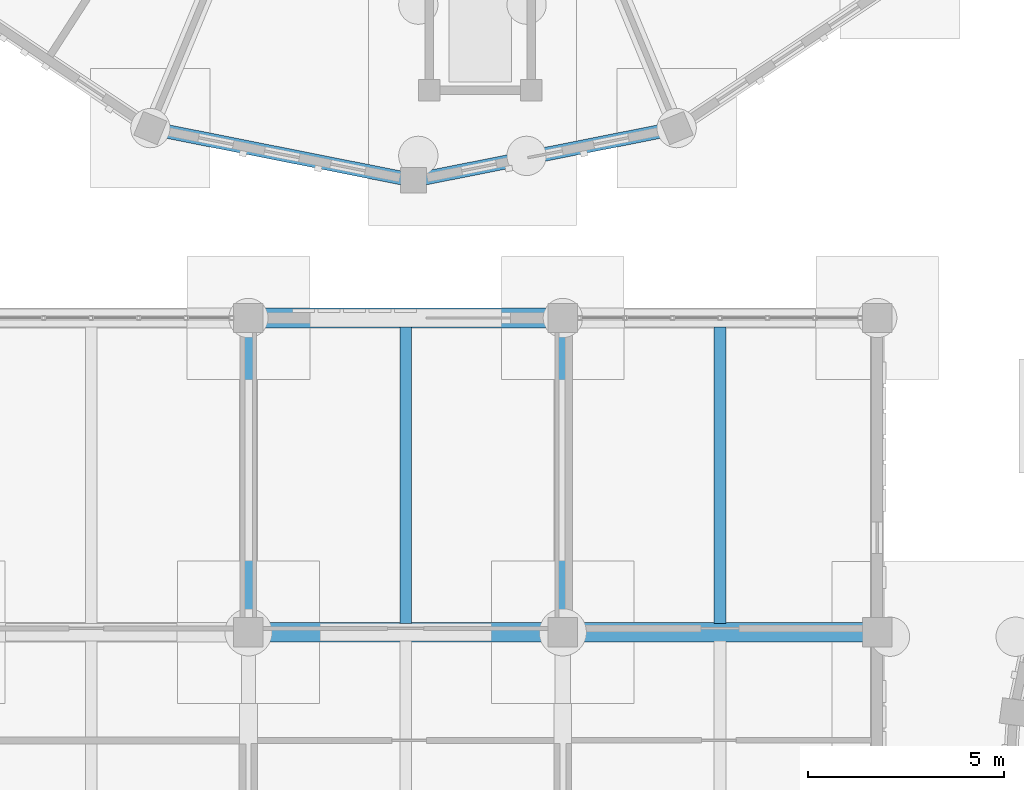
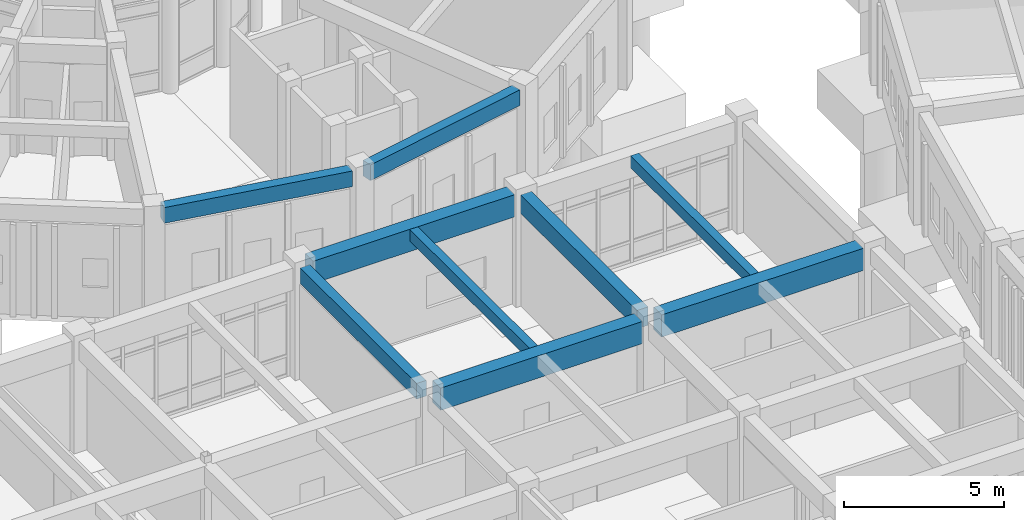
# One storey, part 57 of 153: 9 beams.
"""IFC4 building model written with IfcOpenShell, lengths in metres."""

import ifcopenshell
import ifcopenshell.guid

model = None  # the IFC model being written
_history = None  # IfcOwnerHistory: only IFC2X3 demands one
_inside = {}  # id of a spatial element -> (the spatial element, [elements in it])
_under = {}  # id of a project, library or spatial element -> (it, [spatial elements below it])
_declared = {}  # id of a project -> (the project, [libraries it declares])
_typed = {}  # id of a type object -> (the type object, [elements of that type])
_made_of = {}  # id of a material, layer set ... -> (it, [elements and type objects made of it])


def new_model(schema):
    """Start an empty IFC model of exactly this schema.

    Asked for "IFC4X3", IfcOpenShell would pick the latest addendum, in which some entities
    have other attributes; the version numbers below select the first issue.
    IFC2X3 requires an IfcOwnerHistory on every rooted entity: one is made here for all.
    """
    global model, _history
    if schema == "IFC4X3":
        model = ifcopenshell.file(schema_version=(4, 3, 0, 0))
    else:
        model = ifcopenshell.file(schema=schema)
    _inside.clear()
    _under.clear()
    _declared.clear()
    _typed.clear()
    _made_of.clear()
    _history = None
    if model.schema == "IFC2X3":
        org = make("IfcOrganization", Name="unknown")
        user = make(
            "IfcPersonAndOrganization",
            ThePerson=make("IfcPerson", FamilyName="unknown"),
            TheOrganization=org,
        )
        app = make(
            "IfcApplication",
            ApplicationDeveloper=org,
            Version="unknown",
            ApplicationFullName="unknown",
            ApplicationIdentifier="unknown",
        )
        _history = make(
            "IfcOwnerHistory",
            OwningUser=user,
            OwningApplication=app,
            ChangeAction="ADDED",
            CreationDate=0,
        )
    return model


def make(cls, **values):
    """One entity of the class cls with the attributes given. An attribute that is None is left unset."""
    return model.create_entity(
        cls, **{name: value for name, value in values.items() if value is not None}
    )


def rooted(cls, **values):
    """An entity with a GlobalId (a new one), such as an element, a storey or a relation."""
    return make(cls, GlobalId=ifcopenshell.guid.new(), OwnerHistory=_history, **values)


def si_unit(unit_type, name, prefix=None):
    """IfcSIUnit, for example si_unit("LENGTHUNIT", "METRE", prefix="MILLI")."""
    return make("IfcSIUnit", UnitType=unit_type, Prefix=prefix, Name=name)


def assignment(units):
    """IfcUnitAssignment: the units of a project."""
    return None if units is None else make("IfcUnitAssignment", Units=units)


def point(xyz):
    """IfcCartesianPoint."""
    return None if xyz is None else make("IfcCartesianPoint", Coordinates=xyz)


def direction(xyz):
    """IfcDirection."""
    return None if xyz is None else make("IfcDirection", DirectionRatios=xyz)


def frame(location, z_axis=None, x_axis=None):
    """IfcAxis2Placement3D, a coordinate frame: its origin and axes. An axis left out is left unset."""
    return make(
        "IfcAxis2Placement3D",
        Location=point(location),
        Axis=direction(z_axis),
        RefDirection=direction(x_axis),
    )


def frame_2d(location, x_axis=None):
    """IfcAxis2Placement2D, a coordinate frame in the plane: its origin and x axis."""
    return make(
        "IfcAxis2Placement2D", Location=point(location), RefDirection=direction(x_axis)
    )


def origin():
    """The frame at (0, 0, 0) with its axes left unset."""
    return frame((0.0, 0.0, 0.0))


def origin_2d():
    """The frame at (0, 0) in the plane with its x axis left unset."""
    return frame_2d((0.0, 0.0))


def place(relative_to, where):
    """IfcLocalPlacement: puts the frame where relative to a parent placement (None: the world)."""
    return make(
        "IfcLocalPlacement", PlacementRelTo=relative_to, RelativePlacement=where
    )


def context(
    kind, dimensions, precision=None, world=None, true_north=None, identifier=None
):
    """IfcGeometricRepresentationContext, for example the 3D "Model" context."""
    return make(
        "IfcGeometricRepresentationContext",
        ContextIdentifier=identifier,
        ContextType=kind,
        CoordinateSpaceDimension=dimensions,
        Precision=precision,
        WorldCoordinateSystem=world,
        TrueNorth=true_north,
    )


def subcontext(parent, identifier, kind, view, scale=None):
    """IfcGeometricRepresentationSubContext, for example "Body" below "Model"."""
    return make(
        "IfcGeometricRepresentationSubContext",
        ContextIdentifier=identifier,
        ContextType=kind,
        ParentContext=parent,
        TargetScale=scale,
        TargetView=view,
    )


def project(units=None, contexts=None):
    """IfcProject with its units and contexts."""
    return rooted(
        "IfcProject",
        Name="project",
        RepresentationContexts=contexts,
        UnitsInContext=assignment(units),
    )


def spatial(cls, under=None, at=None, **own):
    """A site, building, storey or space (cls), placed at a placement, below another one or the project."""
    s = rooted(cls, ObjectPlacement=at, **own)
    if under is not None:
        _under.setdefault(under.id(), (under, []))[1].append(s)
    return s


def profile(cls, at=None, kind="AREA", **sizes):
    """A parametric profile (cls). Its sizes go by their IFC names, for example OverallWidth=200.0."""
    return make(cls, ProfileType=kind, Position=at, **sizes)


def rectangle(**sizes):
    """IfcRectangleProfileDef."""
    return profile("IfcRectangleProfileDef", **sizes)


def extrude(swept, where, along, depth):
    """IfcExtrudedAreaSolid: the profile swept, set in the frame where, extruded along a direction by depth."""
    return make(
        "IfcExtrudedAreaSolid",
        SweptArea=swept,
        Position=where,
        ExtrudedDirection=direction(along),
        Depth=depth,
    )


def shape(context_of_items, identifier, shape_type, items):
    """IfcShapeRepresentation: the items that make up one representation, for example the "Body"."""
    return make(
        "IfcShapeRepresentation",
        ContextOfItems=context_of_items,
        RepresentationIdentifier=identifier,
        RepresentationType=shape_type,
        Items=items,
    )


def material(Name=None, Category=None):
    """IfcMaterial."""
    return make("IfcMaterial", Name=Name, Category=Category)


def material_profile(
    of_material, cross_section, Name=None, Category=None, Priority=None
):
    """IfcMaterialProfile: a cross section and its material."""
    return make(
        "IfcMaterialProfile",
        Name=Name,
        Material=of_material,
        Profile=cross_section,
        Priority=Priority,
        Category=Category,
    )


def profile_set(profiles, Name=None, composite=None):
    """IfcMaterialProfileSet."""
    return make(
        "IfcMaterialProfileSet",
        Name=Name,
        MaterialProfiles=profiles,
        CompositeProfile=composite,
    )


def made_of(thing, what):
    """Note that an element or type object is made of a material, layer set ...; save() writes the relation."""
    if what is not None:
        _made_of.setdefault(what.id(), (what, []))[1].append(thing)
    return thing


def type_object(cls, material=None, **own):
    """A type object (cls), such as IfcWallType, which elements share."""
    return made_of(rooted(cls, **own), material)


def element(
    cls,
    number,
    at=None,
    inside=None,
    cuts=None,
    type_object=None,
    material=None,
    context=None,
    identifier="Body",
    shape_type=None,
    held_by="IfcProductDefinitionShape",
    body=None,
    shapes=None,
    **own,
):
    """One element of the class cls, such as IfcWall. Its Tag is "e" and its number.

    at: its placement. inside: the storey or other place that contains it. cuts: it is an
    opening in that element (IfcRelVoidsElement). A single representation is given by context,
    identifier, shape_type and body (its items); several are given by shapes. held_by: the class
    of the entity that holds the representations. save() writes the other relations.
    """
    e = rooted(cls, Tag="e%d" % number, ObjectPlacement=at, **own)
    if body is not None:
        shapes = [shape(context, identifier, shape_type, body)]
    if shapes is not None:
        e.Representation = make(held_by, Representations=shapes)
    if inside is not None:
        _inside.setdefault(inside.id(), (inside, []))[1].append(e)
    if cuts is not None:
        rooted(
            "IfcRelVoidsElement", RelatingBuildingElement=cuts, RelatedOpeningElement=e
        )
    if type_object is not None:
        _typed.setdefault(type_object.id(), (type_object, []))[1].append(e)
    return made_of(e, material)


def aggregate(whole, parts):
    """IfcRelAggregates: a whole, such as a stair, and the parts it consists of."""
    return rooted("IfcRelAggregates", RelatingObject=whole, RelatedObjects=parts)


def save(model, path):
    """Write the relations noted so far, then the file.

    IfcRelAggregates (storeys below a building ...), IfcRelContainedInSpatialStructure (elements
    in a storey), IfcRelDefinesByType, IfcRelAssociatesMaterial and IfcRelDeclares: one each for
    every whole, place, type object, material and project.
    """
    for whole, parts in _under.values():
        aggregate(whole, parts)
    for where, things in _inside.values():
        rooted(
            "IfcRelContainedInSpatialStructure",
            RelatedElements=things,
            RelatingStructure=where,
        )
    for kind, things in _typed.values():
        rooted("IfcRelDefinesByType", RelatedObjects=things, RelatingType=kind)
    for what, things in _made_of.values():
        rooted("IfcRelAssociatesMaterial", RelatedObjects=things, RelatingMaterial=what)
    for by, libraries in _declared.values():
        rooted("IfcRelDeclares", RelatingContext=by, RelatedDefinitions=libraries)
    model.write(path)


model = new_model("IFC4")

# Units and contexts
model_context = context("Model", 3, precision=1e-05, world=origin(), true_north=direction((0.0, 1.0)))
body_context = subcontext(model_context, "Body", "Model", "MODEL_VIEW")
ifc_project = project(units=[si_unit("LENGTHUNIT", "METRE"), si_unit("AREAUNIT", "SQUARE_METRE"), si_unit("VOLUMEUNIT", "CUBIC_METRE"), si_unit("PLANEANGLEUNIT", "RADIAN"), si_unit("MASSUNIT", "GRAM", prefix="KILO")], contexts=[model_context])

# Site, building, storey
site_placement = place(None, origin())
site = spatial("IfcSite", under=ifc_project, at=site_placement, CompositionType="ELEMENT")
building_placement = place(site_placement, origin())
building = spatial("IfcBuilding", under=site, at=building_placement, Name="Celadon Cloister-Ring School", CompositionType="ELEMENT")
storey_placement = place(building_placement, origin())
storey = spatial("IfcBuildingStorey", under=building, at=storey_placement, Name="L00", CompositionType="ELEMENT", Elevation=0.0)

# Beams
ifc_material_1 = material(Name="Concrete C35/45", Category="concrete")
ifc_material_profile_1 = material_profile(ifc_material_1, rectangle(XDim=0.39990234375, YDim=0.699951171875, at=origin_2d()), Name="RC400X700")
ifc_profile_set_1 = profile_set([ifc_material_profile_1], Name="Concrete C35/45")
beam_type_1 = type_object("IfcBeamType", Name="BT-01", PredefinedType="BEAM", material=ifc_profile_set_1)
beam_1_placement = place(storey_placement, frame((24.0, 68.35009765625, 3.889892578125), z_axis=(0.0, 1.0, 0.0), x_axis=(-1.0, 0.0, 0.0)))
element("IfcBeam", 1, at=beam_1_placement, inside=storey, type_object=beam_type_1, Name="Beam 1503", PredefinedType="BEAM", context=body_context, shape_type="SweptSolid", body=[
    extrude(rectangle(XDim=0.39990234375, YDim=0.699951171875, at=origin_2d()), origin(), (0.0, 0.0, 1.0), 7.2998046875),
])
ifc_material_2 = material(Name="Concrete C35/45", Category="concrete")
ifc_material_profile_2 = material_profile(ifc_material_2, rectangle(XDim=0.35009765625, YDim=0.60009765625, at=origin_2d()), Name="RC350X600")
ifc_profile_set_2 = profile_set([ifc_material_profile_2], Name="Concrete C35/45")
beam_type_2 = type_object("IfcBeamType", Name="BT-02", PredefinedType="BEAM", material=ifc_profile_set_2)
beam_2_placement = place(storey_placement, frame((16.0, 68.35009765625, 3.93994140625), z_axis=(0.0, 1.0, 0.0), x_axis=(-1.0, 0.0, 0.0)))
element("IfcBeam", 2, at=beam_2_placement, inside=storey, type_object=beam_type_2, Name="Beam 1498", PredefinedType="BEAM", context=body_context, shape_type="SweptSolid", body=[
    extrude(rectangle(XDim=0.35009765625, YDim=0.60009765625, at=origin_2d()), origin(), (0.0, 0.0, 1.0), 7.2998046875),
])
ifc_material_3 = material(Name="Concrete C35/45", Category="concrete")
ifc_material_profile_3 = material_profile(ifc_material_3, rectangle(XDim=0.5, YDim=0.85009765625, at=origin_2d()), Name="RC500X850")
ifc_profile_set_3 = profile_set([ifc_material_profile_3], Name="Concrete C35/45")
beam_type_3 = type_object("IfcBeamType", Name="GT-01", PredefinedType="USERDEFINED", material=ifc_profile_set_3)
for number, where, z_axis, x_axis, name in (
    (3, (16.35009765625, 68.0, 3.81494140625), (1.0, 0.0, 0.0), (0.0, 1.0, 0.0), "Beam 1489"),
    (4, (24.35009765625, 68.0, 3.81494140625), (1.0, 0.0, 0.0), (0.0, 1.0, 0.0), "Beam 1490"),
    (5, (16.35009765625, 76.0, 3.81494140625), (1.0, 0.0, 0.0), (0.0, 1.0, 0.0), "Beam 1493"),
):
    element("IfcBeam", number, at=place(storey_placement, frame(where, z_axis=z_axis, x_axis=x_axis)), inside=storey, type_object=beam_type_3, Name=name, ObjectType="GIRDER", PredefinedType="USERDEFINED", context=body_context, shape_type="SweptSolid", body=[
        extrude(rectangle(XDim=0.5, YDim=0.85009765625, at=origin_2d()), origin(), (0.0, 0.0, 1.0), 7.2998046875),
    ])
ifc_material_4 = material(Name="Concrete C35/45", Category="concrete")
ifc_material_profile_4 = material_profile(ifc_material_4, rectangle(XDim=0.300048828125, YDim=0.449951171875, at=origin_2d()), Name="RC300X450")
ifc_profile_set_4 = profile_set([ifc_material_profile_4], Name="Concrete C35/45")
beam_type_4 = type_object("IfcBeamType", Name="JT-01", PredefinedType="JOIST", material=ifc_profile_set_4)
for number, where, z_axis, x_axis, name in (
    (6, (20.0, 68.22509765625, 4.014892578125), (0.0, 1.0, 0.0), (-1.0, 0.0, 0.0), "Beam 1514"),
    (7, (28.0, 68.22509765625, 4.014892578125), (0.0, 1.0, 0.0), (-1.0, 0.0, 0.0), "Beam 1517"),
):
    element("IfcBeam", number, at=place(storey_placement, frame(where, z_axis=z_axis, x_axis=x_axis)), inside=storey, type_object=beam_type_4, Name=name, PredefinedType="JOIST", context=body_context, shape_type="SweptSolid", body=[
        extrude(rectangle(XDim=0.300048828125, YDim=0.449951171875, at=origin_2d()), origin(), (0.0, 0.0, 1.0), 7.5498046875),
    ])
ifc_material_5 = material(Name="Concrete C35/45", Category="concrete")
ifc_material_profile_5 = material_profile(ifc_material_5, rectangle(XDim=0.35009765625, YDim=0.60009765625, at=origin_2d()), Name="RC350X600")
ifc_profile_set_5 = profile_set([ifc_material_profile_5], Name="Concrete C35/45")
beam_type_5 = type_object("IfcBeamType", Name="SP-01", PredefinedType="SPANDREL", material=ifc_profile_set_5)
beam_3_placement = place(storey_placement, frame((13.797119140625, 80.77294921875, 3.9599609375), z_axis=(0.980824151909, -0.194894799908, 0.0), x_axis=(0.194894799908, 0.980824151909, 0.0)))
element("IfcBeam", 8, at=beam_3_placement, inside=storey, type_object=beam_type_5, Name="Beam 0646", PredefinedType="SPANDREL", context=body_context, shape_type="SweptSolid", body=[
    extrude(rectangle(XDim=0.35009765625, YDim=0.60009765625, at=origin_2d()), origin(), (0.0, 0.0, 1.0), 6.228271484375),
])
beam_4_placement = place(storey_placement, frame((20.493896484375, 79.55908203125, 3.9599609375), z_axis=(0.980825640738, 0.194887307107, 0.0), x_axis=(-0.194887307107, 0.980825640738, 0.0)))
element("IfcBeam", 9, at=beam_4_placement, inside=storey, type_object=beam_type_5, Name="Beam 0648", PredefinedType="SPANDREL", context=body_context, shape_type="SweptSolid", body=[
    extrude(rectangle(XDim=0.35009765625, YDim=0.60009765625, at=origin_2d()), origin(), (0.0, 0.0, 1.0), 6.228515625),
])

save(model, "model.ifc")
